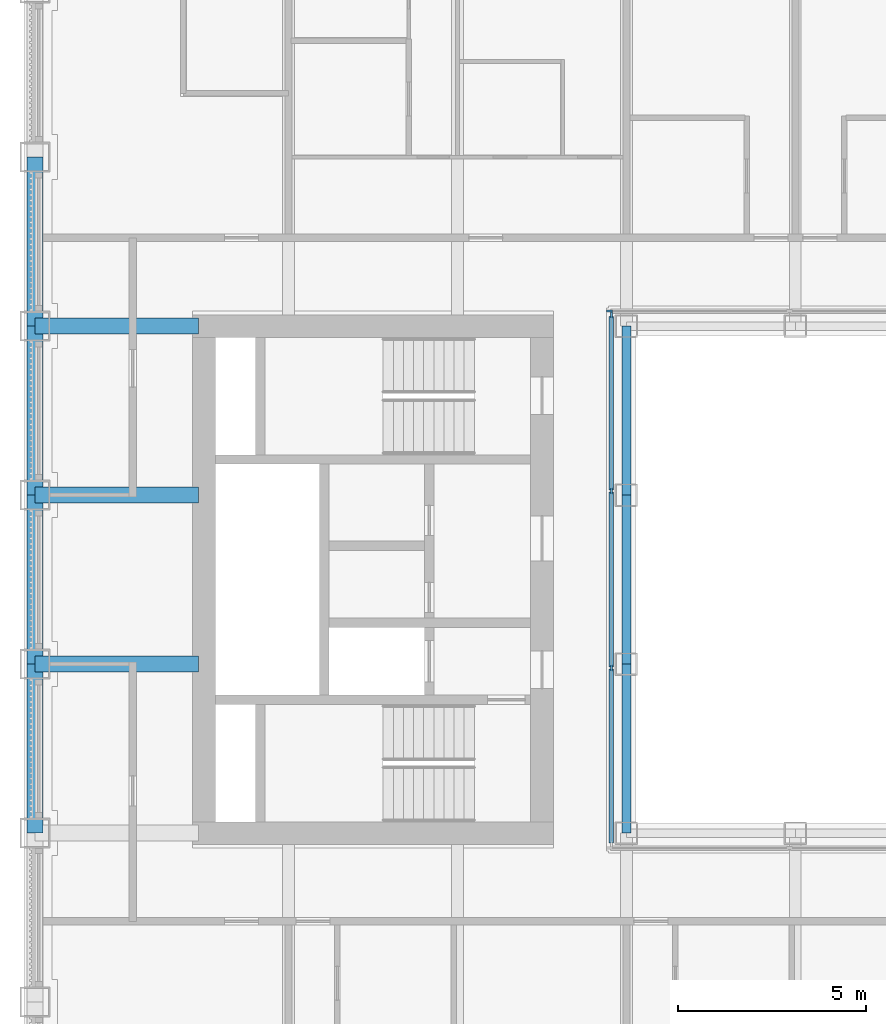
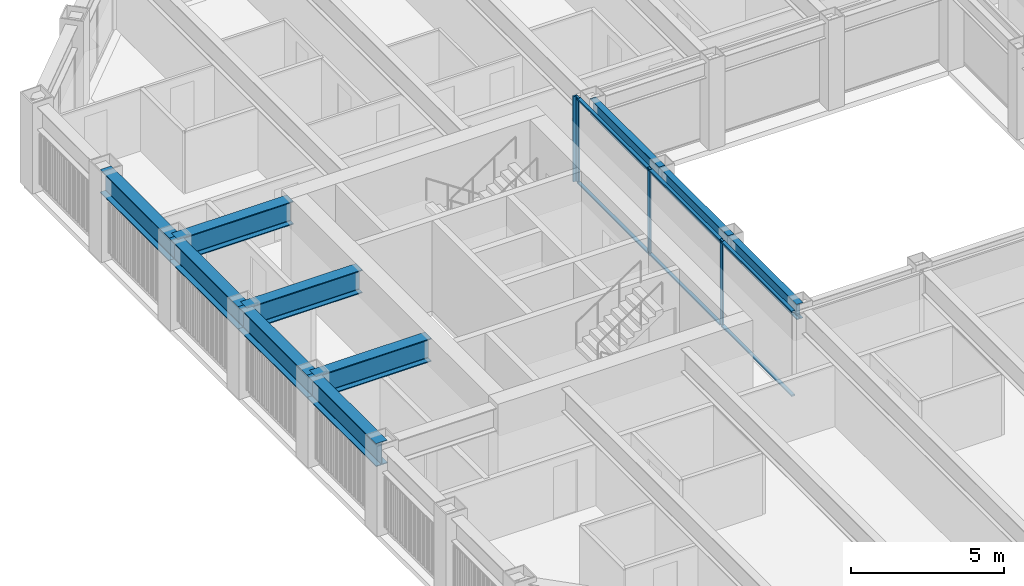
# One storey, part 4 of 17: 10 beams, 10 members, 2 elements without a shape of their own.
"""IFC4 building model written with IfcOpenShell, lengths in metres."""

from ifc_helpers import new_model, si_unit, direction, frame, origin, origin_2d, place, context, subcontext, project, spatial, rectangle, i_section, extrude, material, material_profile, profile_set, type_object, element, aggregate, save


model = new_model("IFC4")

# Units and contexts
model_context = context("Model", 3, precision=1e-05, world=origin(), true_north=direction((0.0, 1.0)))
body_context = subcontext(model_context, "Body", "Model", "MODEL_VIEW")
ifc_project = project(units=[si_unit("LENGTHUNIT", "METRE"), si_unit("AREAUNIT", "SQUARE_METRE"), si_unit("VOLUMEUNIT", "CUBIC_METRE"), si_unit("PLANEANGLEUNIT", "RADIAN"), si_unit("MASSUNIT", "GRAM", prefix="KILO")], contexts=[model_context])

# Site, building, storey
site_placement = place(None, origin())
site = spatial("IfcSite", under=ifc_project, at=site_placement, CompositionType="ELEMENT")
building_placement = place(site_placement, origin())
building = spatial("IfcBuilding", under=site, at=building_placement, Name="Msasa Ring Tower", CompositionType="ELEMENT")
storey_placement = place(building_placement, frame((0.0, 0.0, 172.39990234375)))
storey = spatial("IfcBuildingStorey", under=building, at=storey_placement, Name="L45", CompositionType="ELEMENT", Elevation=172.39990234375)

# Curtain wall, member
ifc_material_1 = material(Name="Aluminium curtain wall with clear glass", Category="aluminium")
curtain_wall_type = type_object("IfcCurtainWallType", Name="CW-W LIGHT WELL CURTAIN WALL", PredefinedType="NOTDEFINED", material=ifc_material_1)
curtain_wall_1_placement = place(storey_placement, origin())
curtain_wall_1 = element("IfcCurtainWall", 1, at=curtain_wall_1_placement, inside=storey, type_object=curtain_wall_type, Name="Light well curtain wall N L45", PredefinedType="NOTDEFINED")
ifc_material_2 = material(Name="Aluminium mullion", Category="aluminium")
ifc_material_profile_1 = material_profile(ifc_material_2, rectangle(XDim=0.06005859375, YDim=0.159912109375, at=origin_2d()), Name="AL 60x160")
ifc_profile_set_1 = profile_set([ifc_material_profile_1], Name="Aluminium mullion")
member_type_1 = type_object("IfcMemberType", Name="CW-W MULLION 60x160", PredefinedType="MULLION", material=ifc_profile_set_1)
member_1_placement = place(storey_placement, frame((-7.199951171875, 7.14990234375, 0.0), z_axis=(0.0, 0.0, 1.0), x_axis=(0.0, 1.0, 0.0)))
member_1 = element("IfcMember", 2, at=member_1_placement, type_object=member_type_1, Name="CW-W mullion 1", PredefinedType="MULLION", context=body_context, shape_type="SweptSolid", body=[
    extrude(rectangle(XDim=0.06005859375, YDim=0.159912109375, at=origin_2d()), origin(), (0.0, 0.0, 1.0), 3.400146484375),
])
aggregate(curtain_wall_1, [member_1])

# Curtain wall, members
curtain_wall_2_placement = place(storey_placement, origin())
curtain_wall_2 = element("IfcCurtainWall", 3, at=curtain_wall_2_placement, inside=storey, type_object=curtain_wall_type, Name="Light well curtain wall W L45", PredefinedType="NOTDEFINED")
member_2_placement = place(storey_placement, frame((-7.14990234375, -2.356689453125, 0.0), z_axis=(0.0, 0.0, 1.0), x_axis=(-1.0, 0.0, 0.0)))
member_2 = element("IfcMember", 4, at=member_2_placement, type_object=member_type_1, Name="CW-W mullion 2", PredefinedType="MULLION", context=body_context, shape_type="SweptSolid", body=[
    extrude(rectangle(XDim=0.06005859375, YDim=0.159912109375, at=origin_2d()), origin(), (0.0, 0.0, 1.0), 3.400146484375),
])
member_3_placement = place(storey_placement, frame((-7.14990234375, 2.356689453125, 0.0), z_axis=(0.0, 0.0, 1.0), x_axis=(-1.0, 0.0, 0.0)))
member_3 = element("IfcMember", 5, at=member_3_placement, type_object=member_type_1, Name="CW-W mullion 3", PredefinedType="MULLION", context=body_context, shape_type="SweptSolid", body=[
    extrude(rectangle(XDim=0.06005859375, YDim=0.159912109375, at=origin_2d()), origin(), (0.0, 0.0, 1.0), 3.400146484375),
])
member_4_placement = place(storey_placement, frame((-7.14990234375, 7.0400390625, 0.0), z_axis=(0.0, 0.0, 1.0), x_axis=(-1.0, 0.0, 0.0)))
member_4 = element("IfcMember", 6, at=member_4_placement, type_object=member_type_1, Name="CW-W mullion 4", PredefinedType="MULLION", context=body_context, shape_type="SweptSolid", body=[
    extrude(rectangle(XDim=0.06005859375, YDim=0.159912109375, at=origin_2d()), origin(), (0.0, 0.0, 1.0), 3.400146484375),
])
ifc_material_3 = material(Name="Aluminium transom", Category="aluminium")
ifc_material_profile_2 = material_profile(ifc_material_3, rectangle(XDim=0.1201171875, YDim=0.06005859375, at=origin_2d()), Name="AL 60x120")
ifc_profile_set_2 = profile_set([ifc_material_profile_2], Name="Aluminium transom")
member_type_2 = type_object("IfcMemberType", Name="CW-W TRANSOM 60x120", PredefinedType="USERDEFINED", material=ifc_profile_set_2)
member_5_placement = place(storey_placement, frame((-7.14990234375, -7.010009765625, 0.030029296875), z_axis=(0.0, 1.0, 0.0), x_axis=(-1.0, 0.0, 0.0)))
member_5 = element("IfcMember", 7, at=member_5_placement, type_object=member_type_2, Name="CW-W transom 1.1", ObjectType="TRANSOM", PredefinedType="USERDEFINED", context=body_context, shape_type="SweptSolid", body=[
    extrude(rectangle(XDim=0.1201171875, YDim=0.06005859375, at=origin_2d()), origin(), (0.0, 0.0, 1.0), 4.623291015625),
])
member_6_placement = place(storey_placement, frame((-7.14990234375, -7.010009765625, 3.3701171875), z_axis=(0.0, 1.0, 0.0), x_axis=(-1.0, 0.0, 0.0)))
member_6 = element("IfcMember", 8, at=member_6_placement, type_object=member_type_2, Name="CW-W transom 1.2", ObjectType="TRANSOM", PredefinedType="USERDEFINED", context=body_context, shape_type="SweptSolid", body=[
    extrude(rectangle(XDim=0.1201171875, YDim=0.06005859375, at=origin_2d()), origin(), (0.0, 0.0, 1.0), 4.623291015625),
])
member_7_placement = place(storey_placement, frame((-7.14990234375, -2.32666015625, 0.030029296875), z_axis=(0.0, 1.0, 0.0), x_axis=(-1.0, 0.0, 0.0)))
member_7 = element("IfcMember", 9, at=member_7_placement, type_object=member_type_2, Name="CW-W transom 2.1", ObjectType="TRANSOM", PredefinedType="USERDEFINED", context=body_context, shape_type="SweptSolid", body=[
    extrude(rectangle(XDim=0.1201171875, YDim=0.06005859375, at=origin_2d()), origin(), (0.0, 0.0, 1.0), 4.6533203125),
])
member_8_placement = place(storey_placement, frame((-7.14990234375, -2.32666015625, 3.3701171875), z_axis=(0.0, 1.0, 0.0), x_axis=(-1.0, 0.0, 0.0)))
member_8 = element("IfcMember", 10, at=member_8_placement, type_object=member_type_2, Name="CW-W transom 2.2", ObjectType="TRANSOM", PredefinedType="USERDEFINED", context=body_context, shape_type="SweptSolid", body=[
    extrude(rectangle(XDim=0.1201171875, YDim=0.06005859375, at=origin_2d()), origin(), (0.0, 0.0, 1.0), 4.6533203125),
])
member_9_placement = place(storey_placement, frame((-7.14990234375, 2.38671875, 0.030029296875), z_axis=(0.0, 1.0, 0.0), x_axis=(-1.0, 0.0, 0.0)))
member_9 = element("IfcMember", 11, at=member_9_placement, type_object=member_type_2, Name="CW-W transom 3.1", ObjectType="TRANSOM", PredefinedType="USERDEFINED", context=body_context, shape_type="SweptSolid", body=[
    extrude(rectangle(XDim=0.1201171875, YDim=0.06005859375, at=origin_2d()), origin(), (0.0, 0.0, 1.0), 4.623291015625),
])
member_10_placement = place(storey_placement, frame((-7.14990234375, 2.38671875, 3.3701171875), z_axis=(0.0, 1.0, 0.0), x_axis=(-1.0, 0.0, 0.0)))
member_10 = element("IfcMember", 12, at=member_10_placement, type_object=member_type_2, Name="CW-W transom 3.2", ObjectType="TRANSOM", PredefinedType="USERDEFINED", context=body_context, shape_type="SweptSolid", body=[
    extrude(rectangle(XDim=0.1201171875, YDim=0.06005859375, at=origin_2d()), origin(), (0.0, 0.0, 1.0), 4.623291015625),
])
aggregate(curtain_wall_2, [member_2, member_3, member_4, member_5, member_6, member_7, member_8, member_9, member_10])

# Beams
ifc_material_4 = material(Name="Steel S355", Category="steel")
ifc_material_profile_3 = material_profile(ifc_material_4, i_section(OverallWidth=0.42041015625, OverallDepth=0.9208984375, WebThickness=0.021484375, FlangeThickness=0.03662109375, FilletRadius=0.024169921875, at=origin_2d()), Name="UB 914x419x388")
ifc_profile_set_3 = profile_set([ifc_material_profile_3], Name="Steel S355")
beam_type_1 = type_object("IfcBeamType", Name="FB2 UB 914x419x388", PredefinedType="BEAM", material=ifc_profile_set_3)
for number, where, z_axis, x_axis, name in (
    (13, (-22.5, -2.25, 2.939697265625), (1.0, 0.0, 0.0), (0.0, 1.0, 0.0), "Floor beam W -2.25 under L46"),
    (14, (-22.5, 2.25, 2.939697265625), (1.0, 0.0, 0.0), (0.0, 1.0, 0.0), "Floor beam W +2.25 under L46"),
):
    element("IfcBeam", number, at=place(storey_placement, frame(where, z_axis=z_axis, x_axis=x_axis)), inside=storey, type_object=beam_type_1, Name=name, PredefinedType="BEAM", context=body_context, shape_type="SweptSolid", body=[
        extrude(i_section(OverallWidth=0.42041015625, OverallDepth=0.9208984375, WebThickness=0.021484375, FlangeThickness=0.03662109375, FilletRadius=0.024169921875, at=origin_2d()), origin(), (0.0, 0.0, 1.0), 4.35009765625),
    ])
ifc_material_5 = material(Name="Steel S355", Category="steel")
ifc_material_profile_4 = material_profile(ifc_material_5, i_section(OverallWidth=0.42041015625, OverallDepth=0.9208984375, WebThickness=0.021484375, FlangeThickness=0.03662109375, FilletRadius=0.024169921875, at=origin_2d()), Name="UB 914x419x388")
ifc_profile_set_4 = profile_set([ifc_material_profile_4], Name="Steel S355")
beam_type_2 = type_object("IfcBeamType", Name="GB1 UB 914x419x388", PredefinedType="BEAM", material=ifc_profile_set_4)
beam_placement = place(storey_placement, frame((-18.14990234375, 6.75, 2.939697265625), z_axis=(-1.0, 0.0, 0.0), x_axis=(0.0, -1.0, 0.0)))
element("IfcBeam", 15, at=beam_placement, inside=storey, type_object=beam_type_2, Name="Girder W +6.75 under L46", PredefinedType="BEAM", context=body_context, shape_type="SweptSolid", body=[
    extrude(i_section(OverallWidth=0.42041015625, OverallDepth=0.9208984375, WebThickness=0.021484375, FlangeThickness=0.03662109375, FilletRadius=0.024169921875, at=origin_2d()), origin(), (0.0, 0.0, 1.0), 4.35009765625),
])
ifc_material_6 = material(Name="Steel S355", Category="steel")
ifc_material_profile_5 = material_profile(ifc_material_6, i_section(OverallWidth=0.230224609375, OverallDepth=0.6171875, WebThickness=0.01318359375, FlangeThickness=0.022216796875, FilletRadius=0.0126953125, at=origin_2d()), Name="UB 610x229x140")
ifc_profile_set_5 = profile_set([ifc_material_profile_5], Name="Steel S355")
beam_type_3 = type_object("IfcBeamType", Name="RB1 UB 610x229x140", PredefinedType="BEAM", material=ifc_profile_set_5)
for number, where, z_axis, x_axis, name in (
    (16, (-6.75, -2.25, 3.091552734375), (0.0, -1.0, 0.0), (1.0, 0.0, 0.0), "Inner ring beam IR-6.75-2.25 under L46"),
    (17, (-6.75, 6.75, 3.091552734375), (0.0, -1.0, 0.0), (1.0, 0.0, 0.0), "Inner ring beam IR-6.75+6.75 under L46"),
    (18, (-6.75, 2.25, 3.091552734375), (0.0, -1.0, 0.0), (1.0, 0.0, 0.0), "Inner ring beam IR-6.75+2.25 under L46"),
):
    element("IfcBeam", number, at=place(storey_placement, frame(where, z_axis=z_axis, x_axis=x_axis)), inside=storey, type_object=beam_type_3, Name=name, PredefinedType="BEAM", context=body_context, shape_type="SweptSolid", body=[
        extrude(i_section(OverallWidth=0.230224609375, OverallDepth=0.6171875, WebThickness=0.01318359375, FlangeThickness=0.022216796875, FilletRadius=0.0126953125, at=origin_2d()), origin(), (0.0, 0.0, 1.0), 4.5),
    ])
ifc_material_7 = material(Name="Steel S355", Category="steel")
ifc_material_profile_6 = material_profile(ifc_material_7, i_section(OverallWidth=0.42041015625, OverallDepth=0.9208984375, WebThickness=0.021484375, FlangeThickness=0.03662109375, FilletRadius=0.024169921875, at=origin_2d()), Name="UB 914x419x388")
ifc_profile_set_6 = profile_set([ifc_material_profile_6], Name="Steel S355")
beam_type_4 = type_object("IfcBeamType", Name="SB1 UB 914x419x388", PredefinedType="SPANDREL", material=ifc_profile_set_6)
for number, where, z_axis, x_axis, name in (
    (19, (-22.5, -2.25, 2.939697265625), (0.0, -1.0, 0.0), (1.0, 0.0, 0.0), "Spandrel W-2.25 to W-6.75 under L46"),
    (20, (-22.5, 11.25, 2.939697265625), (0.0, -1.0, 0.0), (1.0, 0.0, 0.0), "Spandrel W+11.25 to W+6.75 under L46"),
    (21, (-22.5, 6.75, 2.939697265625), (0.0, -1.0, 0.0), (1.0, 0.0, 0.0), "Spandrel W+6.75 to W+2.25 under L46"),
    (22, (-22.5, 2.25, 2.939697265625), (0.0, -1.0, 0.0), (1.0, 0.0, 0.0), "Spandrel W+2.25 to W-2.25 under L46"),
):
    element("IfcBeam", number, at=place(storey_placement, frame(where, z_axis=z_axis, x_axis=x_axis)), inside=storey, type_object=beam_type_4, Name=name, PredefinedType="SPANDREL", context=body_context, shape_type="SweptSolid", body=[
        extrude(i_section(OverallWidth=0.42041015625, OverallDepth=0.9208984375, WebThickness=0.021484375, FlangeThickness=0.03662109375, FilletRadius=0.024169921875, at=origin_2d()), origin(), (0.0, 0.0, 1.0), 4.5),
    ])

save(model, "model.ifc")
